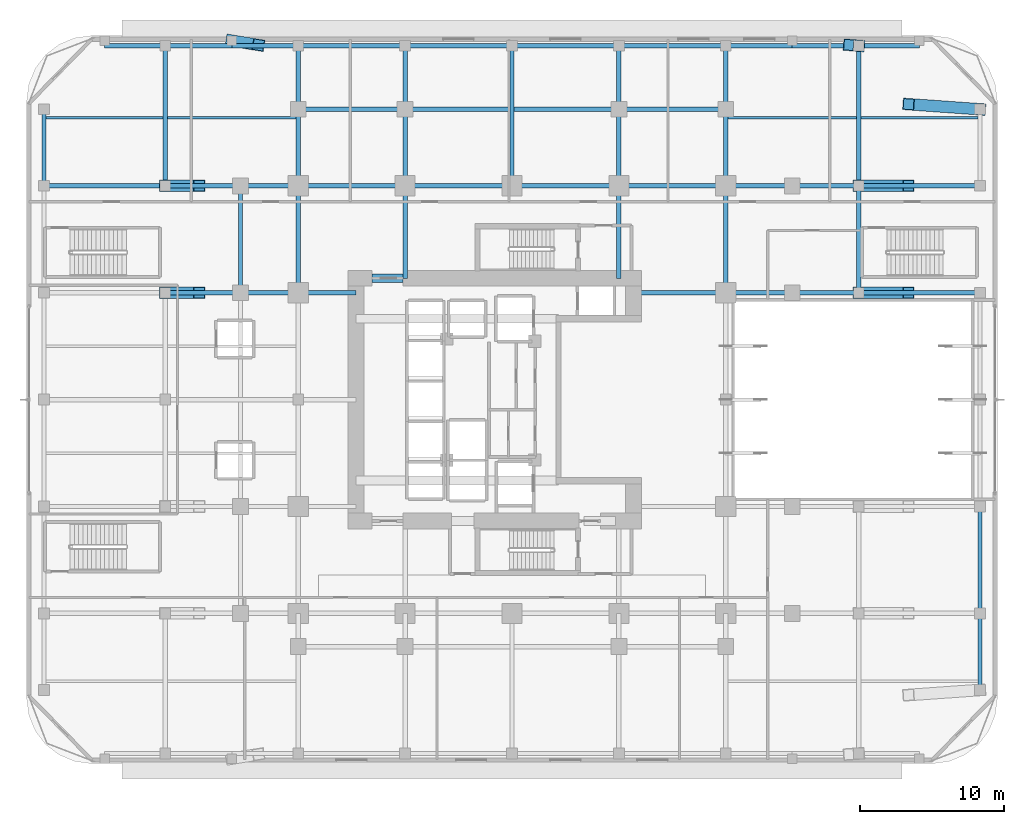
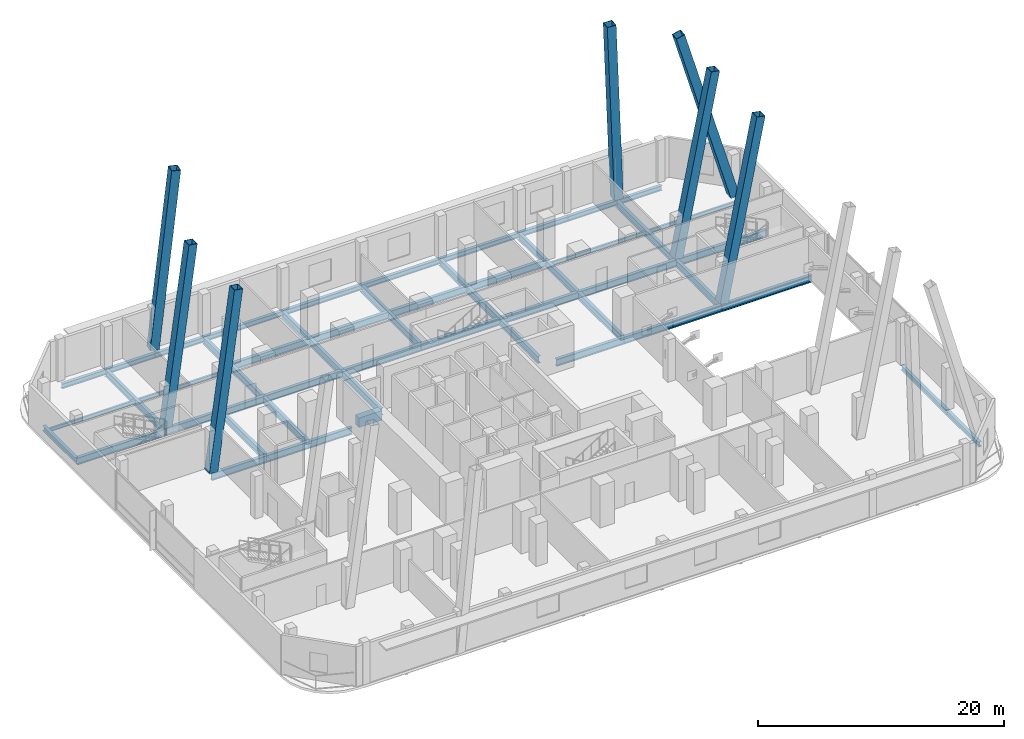
# One storey, part 7 of 23: 55 beams, 7 members.
"""IFC4 building model written with IfcOpenShell, lengths in metres."""

from ifc_helpers import new_model, si_unit, direction, frame, origin, origin_2d, place, context, subcontext, project, spatial, rectangle, hollow_rectangle, i_section, extrude, material, material_profile, profile_set, type_object, element, save


model = new_model("IFC4")

# Units and contexts
model_context = context("Model", 3, precision=1e-05, world=origin(), true_north=direction((0.0, 1.0)))
body_context = subcontext(model_context, "Body", "Model", "MODEL_VIEW")
ifc_project = project(units=[si_unit("LENGTHUNIT", "METRE"), si_unit("AREAUNIT", "SQUARE_METRE"), si_unit("VOLUMEUNIT", "CUBIC_METRE"), si_unit("PLANEANGLEUNIT", "RADIAN"), si_unit("MASSUNIT", "GRAM", prefix="KILO")], contexts=[model_context])

# Site, building, storey
site_placement = place(None, origin())
site = spatial("IfcSite", under=ifc_project, at=site_placement, CompositionType="ELEMENT")
building_placement = place(site_placement, origin())
building = spatial("IfcBuilding", under=site, at=building_placement, Name="Khorvyn Point Tower", CompositionType="ELEMENT")
storey_placement = place(building_placement, frame((0.0, 0.0, 9.0)))
storey = spatial("IfcBuildingStorey", under=building, at=storey_placement, Name="L03", CompositionType="ELEMENT", Elevation=9.0)

# Beams
ifc_material_1 = material(Name="Concrete C50/60", Category="concrete")
ifc_material_profile_1 = material_profile(ifc_material_1, rectangle(XDim=0.60009765625, YDim=0.949951171875, at=origin_2d()))
ifc_profile_set_1 = profile_set([ifc_material_profile_1], Name="Concrete C50/60 RC600x950")
beam_type_1 = type_object("IfcBeamType", Name="Concrete C50/60 Beam RC600x950", PredefinedType="BEAM", material=ifc_profile_set_1)
beam_1_placement = place(storey_placement, frame((-9.699951171875, 8.39990234375, -0.715087890625), z_axis=(1.0, 0.0, 0.0), x_axis=(0.0, 1.0, 0.0)))
element("IfcBeam", 1, at=beam_1_placement, inside=storey, type_object=beam_type_1, Name="L03 Core Northwest Portal Coupling Beam", PredefinedType="BEAM", context=body_context, shape_type="SweptSolid", body=[
    extrude(rectangle(XDim=0.60009765625, YDim=0.949951171875, at=origin_2d()), origin(), (0.0, 0.0, 1.0), 2.14990234375),
])
ifc_material_2 = material(Name="Steel S355", Category="steel")
ifc_material_profile_2 = material_profile(ifc_material_2, i_section(OverallWidth=0.300048828125, OverallDepth=0.699951171875, WebThickness=0.012939453125, FlangeThickness=0.02392578125, at=origin_2d()))
ifc_profile_set_2 = profile_set([ifc_material_profile_2], Name="Steel S355 H700x300x13x24")
beam_type_2 = type_object("IfcBeamType", Name="Steel S355 Beam H700x300x13x24", PredefinedType="BEAM", material=ifc_profile_set_2)
beam_2_placement = place(storey_placement, frame((-24.0, 7.39990234375, -0.590087890625), z_axis=(1.0, 0.0, 0.0), x_axis=(0.0, 1.0, 0.0)))
element("IfcBeam", 2, at=beam_2_placement, inside=storey, type_object=beam_type_2, Name="Beam", PredefinedType="BEAM", context=body_context, shape_type="SweptSolid", body=[
    extrude(i_section(OverallWidth=0.300048828125, OverallDepth=0.699951171875, WebThickness=0.012939453125, FlangeThickness=0.02392578125, at=origin_2d()), origin(), (0.0, 0.0, 1.0), 5.199951171875),
])
for number, where, z_axis, x_axis, name in (
    (3, (-18.800048828125, 7.39990234375, -0.590087890625), (1.0, 0.0, 0.0), (0.0, 1.0, 0.0), "Beam"),
    (4, (-14.800048828125, 7.39990234375, -0.590087890625), (1.0, 0.0, 0.0), (0.0, 1.0, 0.0), "Beam"),
):
    element("IfcBeam", number, at=place(storey_placement, frame(where, z_axis=z_axis, x_axis=x_axis)), inside=storey, type_object=beam_type_2, Name=name, PredefinedType="BEAM", context=body_context, shape_type="SweptSolid", body=[
        extrude(i_section(OverallWidth=0.300048828125, OverallDepth=0.699951171875, WebThickness=0.012939453125, FlangeThickness=0.02392578125, at=origin_2d()), origin(), (0.0, 0.0, 1.0), 4.0),
    ])
beam_3_placement = place(storey_placement, frame((8.39990234375, 7.39990234375, -0.590087890625), z_axis=(1.0, 0.0, 0.0), x_axis=(0.0, 1.0, 0.0)))
element("IfcBeam", 5, at=beam_3_placement, inside=storey, type_object=beam_type_2, Name="Beam", PredefinedType="BEAM", context=body_context, shape_type="SweptSolid", body=[
    extrude(i_section(OverallWidth=0.300048828125, OverallDepth=0.699951171875, WebThickness=0.012939453125, FlangeThickness=0.02392578125, at=origin_2d()), origin(), (0.0, 0.0, 1.0), 6.400146484375),
])
beam_4_placement = place(storey_placement, frame((14.800048828125, 7.39990234375, -0.590087890625), z_axis=(1.0, 0.0, 0.0), x_axis=(0.0, 1.0, 0.0)))
element("IfcBeam", 6, at=beam_4_placement, inside=storey, type_object=beam_type_2, Name="Beam", PredefinedType="BEAM", context=body_context, shape_type="SweptSolid", body=[
    extrude(i_section(OverallWidth=0.300048828125, OverallDepth=0.699951171875, WebThickness=0.012939453125, FlangeThickness=0.02392578125, at=origin_2d()), origin(), (0.0, 0.0, 1.0), 4.599853515625),
])
beam_5_placement = place(storey_placement, frame((19.39990234375, 7.39990234375, -0.590087890625), z_axis=(1.0, 0.0, 0.0), x_axis=(0.0, 1.0, 0.0)))
element("IfcBeam", 7, at=beam_5_placement, inside=storey, type_object=beam_type_2, Name="Beam", PredefinedType="BEAM", context=body_context, shape_type="SweptSolid", body=[
    extrude(i_section(OverallWidth=0.300048828125, OverallDepth=0.699951171875, WebThickness=0.012939453125, FlangeThickness=0.02392578125, at=origin_2d()), origin(), (0.0, 0.0, 1.0), 4.60009765625),
])
for number, where, z_axis, x_axis, name in (
    (8, (24.0, 7.39990234375, -0.590087890625), (1.0, 0.0, 0.0), (0.0, 1.0, 0.0), "Beam"),
    (9, (-32.39990234375, 14.800048828125, -0.590087890625), (1.0, 0.0, 0.0), (0.0, 1.0, 0.0), "Beam"),
):
    element("IfcBeam", number, at=place(storey_placement, frame(where, z_axis=z_axis, x_axis=x_axis)), inside=storey, type_object=beam_type_2, Name=name, PredefinedType="BEAM", context=body_context, shape_type="SweptSolid", body=[
        extrude(i_section(OverallWidth=0.300048828125, OverallDepth=0.699951171875, WebThickness=0.012939453125, FlangeThickness=0.02392578125, at=origin_2d()), origin(), (0.0, 0.0, 1.0), 8.39990234375),
    ])
beam_6_placement = place(storey_placement, frame((-24.0, 14.800048828125, -0.590087890625), z_axis=(1.0, 0.0, 0.0), x_axis=(0.0, 1.0, 0.0)))
element("IfcBeam", 10, at=beam_6_placement, inside=storey, type_object=beam_type_2, Name="Beam", PredefinedType="BEAM", context=body_context, shape_type="SweptSolid", body=[
    extrude(i_section(OverallWidth=0.300048828125, OverallDepth=0.699951171875, WebThickness=0.012939453125, FlangeThickness=0.02392578125, at=origin_2d()), origin(), (0.0, 0.0, 1.0), 5.199951171875),
])
beam_7_placement = place(storey_placement, frame((-18.800048828125, 14.800048828125, -0.590087890625), z_axis=(1.0, 0.0, 0.0), x_axis=(0.0, 1.0, 0.0)))
element("IfcBeam", 11, at=beam_7_placement, inside=storey, type_object=beam_type_2, Name="Beam", PredefinedType="BEAM", context=body_context, shape_type="SweptSolid", body=[
    extrude(i_section(OverallWidth=0.300048828125, OverallDepth=0.699951171875, WebThickness=0.012939453125, FlangeThickness=0.02392578125, at=origin_2d()), origin(), (0.0, 0.0, 1.0), 4.0),
])
beam_8_placement = place(storey_placement, frame((-14.800048828125, 14.800048828125, -0.590087890625), z_axis=(1.0, 0.0, 0.0), x_axis=(0.0, 1.0, 0.0)))
element("IfcBeam", 12, at=beam_8_placement, inside=storey, type_object=beam_type_2, Name="Beam", PredefinedType="BEAM", context=body_context, shape_type="SweptSolid", body=[
    extrude(i_section(OverallWidth=0.300048828125, OverallDepth=0.699951171875, WebThickness=0.012939453125, FlangeThickness=0.02392578125, at=origin_2d()), origin(), (0.0, 0.0, 1.0), 7.400146484375),
])
for number, where, z_axis, x_axis, name in (
    (13, (-7.39990234375, 14.800048828125, -0.590087890625), (1.0, 0.0, 0.0), (0.0, 1.0, 0.0), "Beam"),
    (14, (0.0, 14.800048828125, -0.590087890625), (1.0, 0.0, 0.0), (0.0, 1.0, 0.0), "Beam"),
):
    element("IfcBeam", number, at=place(storey_placement, frame(where, z_axis=z_axis, x_axis=x_axis)), inside=storey, type_object=beam_type_2, Name=name, PredefinedType="BEAM", context=body_context, shape_type="SweptSolid", body=[
        extrude(i_section(OverallWidth=0.300048828125, OverallDepth=0.699951171875, WebThickness=0.012939453125, FlangeThickness=0.02392578125, at=origin_2d()), origin(), (0.0, 0.0, 1.0), 7.39990234375),
    ])
beam_9_placement = place(storey_placement, frame((7.39990234375, 14.800048828125, -0.590087890625), z_axis=(1.0, 0.0, 0.0), x_axis=(0.0, 1.0, 0.0)))
element("IfcBeam", 15, at=beam_9_placement, inside=storey, type_object=beam_type_2, Name="Beam", PredefinedType="BEAM", context=body_context, shape_type="SweptSolid", body=[
    extrude(i_section(OverallWidth=0.300048828125, OverallDepth=0.699951171875, WebThickness=0.012939453125, FlangeThickness=0.02392578125, at=origin_2d()), origin(), (0.0, 0.0, 1.0), 7.400146484375),
])
beam_10_placement = place(storey_placement, frame((14.800048828125, 14.800048828125, -0.590087890625), z_axis=(1.0, 0.0, 0.0), x_axis=(0.0, 1.0, 0.0)))
element("IfcBeam", 16, at=beam_10_placement, inside=storey, type_object=beam_type_2, Name="Beam", PredefinedType="BEAM", context=body_context, shape_type="SweptSolid", body=[
    extrude(i_section(OverallWidth=0.300048828125, OverallDepth=0.699951171875, WebThickness=0.012939453125, FlangeThickness=0.02392578125, at=origin_2d()), origin(), (0.0, 0.0, 1.0), 4.599853515625),
])
beam_11_placement = place(storey_placement, frame((19.39990234375, 14.800048828125, -0.590087890625), z_axis=(1.0, 0.0, 0.0), x_axis=(0.0, 1.0, 0.0)))
element("IfcBeam", 17, at=beam_11_placement, inside=storey, type_object=beam_type_2, Name="Beam", PredefinedType="BEAM", context=body_context, shape_type="SweptSolid", body=[
    extrude(i_section(OverallWidth=0.300048828125, OverallDepth=0.699951171875, WebThickness=0.012939453125, FlangeThickness=0.02392578125, at=origin_2d()), origin(), (0.0, 0.0, 1.0), 4.60009765625),
])
beam_12_placement = place(storey_placement, frame((24.0, 14.800048828125, -0.590087890625), z_axis=(1.0, 0.0, 0.0), x_axis=(0.0, 1.0, 0.0)))
element("IfcBeam", 18, at=beam_12_placement, inside=storey, type_object=beam_type_2, Name="Beam", PredefinedType="BEAM", context=body_context, shape_type="SweptSolid", body=[
    extrude(i_section(OverallWidth=0.300048828125, OverallDepth=0.699951171875, WebThickness=0.012939453125, FlangeThickness=0.02392578125, at=origin_2d()), origin(), (0.0, 0.0, 1.0), 8.39990234375),
])
beam_13_placement = place(storey_placement, frame((-14.800048828125, 20.10009765625, -0.590087890625), z_axis=(1.0, 0.0, 0.0), x_axis=(0.0, 1.0, 0.0)))
element("IfcBeam", 19, at=beam_13_placement, inside=storey, type_object=beam_type_2, Name="Beam", PredefinedType="BEAM", context=body_context, shape_type="SweptSolid", body=[
    extrude(i_section(OverallWidth=0.300048828125, OverallDepth=0.699951171875, WebThickness=0.012939453125, FlangeThickness=0.02392578125, at=origin_2d()), origin(), (0.0, 0.0, 1.0), 7.400146484375),
])
beam_14_placement = place(storey_placement, frame((-7.39990234375, 20.10009765625, -0.590087890625), z_axis=(1.0, 0.0, 0.0), x_axis=(0.0, 1.0, 0.0)))
element("IfcBeam", 20, at=beam_14_placement, inside=storey, type_object=beam_type_2, Name="Beam", PredefinedType="BEAM", context=body_context, shape_type="SweptSolid", body=[
    extrude(i_section(OverallWidth=0.300048828125, OverallDepth=0.699951171875, WebThickness=0.012939453125, FlangeThickness=0.02392578125, at=origin_2d()), origin(), (0.0, 0.0, 1.0), 14.7998046875),
])
beam_15_placement = place(storey_placement, frame((7.39990234375, 20.10009765625, -0.590087890625), z_axis=(1.0, 0.0, 0.0), x_axis=(0.0, 1.0, 0.0)))
element("IfcBeam", 21, at=beam_15_placement, inside=storey, type_object=beam_type_2, Name="Beam", PredefinedType="BEAM", context=body_context, shape_type="SweptSolid", body=[
    extrude(i_section(OverallWidth=0.300048828125, OverallDepth=0.699951171875, WebThickness=0.012939453125, FlangeThickness=0.02392578125, at=origin_2d()), origin(), (0.0, 0.0, 1.0), 7.400146484375),
])
beam_16_placement = place(storey_placement, frame((-24.0, 14.800048828125, -0.590087890625), z_axis=(0.0, 1.0, 0.0), x_axis=(-1.0, 0.0, 0.0)))
element("IfcBeam", 22, at=beam_16_placement, inside=storey, type_object=beam_type_2, Name="Beam", PredefinedType="BEAM", context=body_context, shape_type="SweptSolid", body=[
    extrude(i_section(OverallWidth=0.300048828125, OverallDepth=0.699951171875, WebThickness=0.012939453125, FlangeThickness=0.02392578125, at=origin_2d()), origin(), (0.0, 0.0, 1.0), 9.699951171875),
])
beam_17_placement = place(storey_placement, frame((-14.800048828125, 7.39990234375, -0.590087890625), z_axis=(0.0, 1.0, 0.0), x_axis=(-1.0, 0.0, 0.0)))
element("IfcBeam", 23, at=beam_17_placement, inside=storey, type_object=beam_type_2, Name="Beam", PredefinedType="BEAM", context=body_context, shape_type="SweptSolid", body=[
    extrude(i_section(OverallWidth=0.300048828125, OverallDepth=0.699951171875, WebThickness=0.012939453125, FlangeThickness=0.02392578125, at=origin_2d()), origin(), (0.0, 0.0, 1.0), 7.400146484375),
])
beam_18_placement = place(storey_placement, frame((-14.800048828125, 14.800048828125, -0.590087890625), z_axis=(0.0, 1.0, 0.0), x_axis=(-1.0, 0.0, 0.0)))
element("IfcBeam", 24, at=beam_18_placement, inside=storey, type_object=beam_type_2, Name="Beam", PredefinedType="BEAM", context=body_context, shape_type="SweptSolid", body=[
    extrude(i_section(OverallWidth=0.300048828125, OverallDepth=0.699951171875, WebThickness=0.012939453125, FlangeThickness=0.02392578125, at=origin_2d()), origin(), (0.0, 0.0, 1.0), 5.300048828125),
])
beam_19_placement = place(storey_placement, frame((-14.800048828125, 20.10009765625, -0.590087890625), z_axis=(0.0, 1.0, 0.0), x_axis=(-1.0, 0.0, 0.0)))
element("IfcBeam", 25, at=beam_19_placement, inside=storey, type_object=beam_type_2, Name="Beam", PredefinedType="BEAM", context=body_context, shape_type="SweptSolid", body=[
    extrude(i_section(OverallWidth=0.300048828125, OverallDepth=0.699951171875, WebThickness=0.012939453125, FlangeThickness=0.02392578125, at=origin_2d()), origin(), (0.0, 0.0, 1.0), 4.39990234375),
])
beam_20_placement = place(storey_placement, frame((-7.39990234375, 8.39990234375, -0.590087890625), z_axis=(0.0, 1.0, 0.0), x_axis=(-1.0, 0.0, 0.0)))
element("IfcBeam", 26, at=beam_20_placement, inside=storey, type_object=beam_type_2, Name="Beam", PredefinedType="BEAM", context=body_context, shape_type="SweptSolid", body=[
    extrude(i_section(OverallWidth=0.300048828125, OverallDepth=0.699951171875, WebThickness=0.012939453125, FlangeThickness=0.02392578125, at=origin_2d()), origin(), (0.0, 0.0, 1.0), 6.400146484375),
])
beam_21_placement = place(storey_placement, frame((-7.39990234375, 14.800048828125, -0.590087890625), z_axis=(0.0, 1.0, 0.0), x_axis=(-1.0, 0.0, 0.0)))
element("IfcBeam", 27, at=beam_21_placement, inside=storey, type_object=beam_type_2, Name="Beam", PredefinedType="BEAM", context=body_context, shape_type="SweptSolid", body=[
    extrude(i_section(OverallWidth=0.300048828125, OverallDepth=0.699951171875, WebThickness=0.012939453125, FlangeThickness=0.02392578125, at=origin_2d()), origin(), (0.0, 0.0, 1.0), 5.300048828125),
])
beam_22_placement = place(storey_placement, frame((-7.39990234375, 20.10009765625, -0.590087890625), z_axis=(0.0, 1.0, 0.0), x_axis=(-1.0, 0.0, 0.0)))
element("IfcBeam", 28, at=beam_22_placement, inside=storey, type_object=beam_type_2, Name="Beam", PredefinedType="BEAM", context=body_context, shape_type="SweptSolid", body=[
    extrude(i_section(OverallWidth=0.300048828125, OverallDepth=0.699951171875, WebThickness=0.012939453125, FlangeThickness=0.02392578125, at=origin_2d()), origin(), (0.0, 0.0, 1.0), 4.39990234375),
])
beam_23_placement = place(storey_placement, frame((0.0, 14.800048828125, -0.590087890625), z_axis=(0.0, 1.0, 0.0), x_axis=(-1.0, 0.0, 0.0)))
element("IfcBeam", 29, at=beam_23_placement, inside=storey, type_object=beam_type_2, Name="Beam", PredefinedType="BEAM", context=body_context, shape_type="SweptSolid", body=[
    extrude(i_section(OverallWidth=0.300048828125, OverallDepth=0.699951171875, WebThickness=0.012939453125, FlangeThickness=0.02392578125, at=origin_2d()), origin(), (0.0, 0.0, 1.0), 9.699951171875),
])
beam_24_placement = place(storey_placement, frame((7.39990234375, 8.39990234375, -0.590087890625), z_axis=(0.0, 1.0, 0.0), x_axis=(-1.0, 0.0, 0.0)))
element("IfcBeam", 30, at=beam_24_placement, inside=storey, type_object=beam_type_2, Name="Beam", PredefinedType="BEAM", context=body_context, shape_type="SweptSolid", body=[
    extrude(i_section(OverallWidth=0.300048828125, OverallDepth=0.699951171875, WebThickness=0.012939453125, FlangeThickness=0.02392578125, at=origin_2d()), origin(), (0.0, 0.0, 1.0), 6.400146484375),
])
beam_25_placement = place(storey_placement, frame((7.39990234375, 14.800048828125, -0.590087890625), z_axis=(0.0, 1.0, 0.0), x_axis=(-1.0, 0.0, 0.0)))
element("IfcBeam", 31, at=beam_25_placement, inside=storey, type_object=beam_type_2, Name="Beam", PredefinedType="BEAM", context=body_context, shape_type="SweptSolid", body=[
    extrude(i_section(OverallWidth=0.300048828125, OverallDepth=0.699951171875, WebThickness=0.012939453125, FlangeThickness=0.02392578125, at=origin_2d()), origin(), (0.0, 0.0, 1.0), 5.300048828125),
])
beam_26_placement = place(storey_placement, frame((7.39990234375, 20.10009765625, -0.590087890625), z_axis=(0.0, 1.0, 0.0), x_axis=(-1.0, 0.0, 0.0)))
element("IfcBeam", 32, at=beam_26_placement, inside=storey, type_object=beam_type_2, Name="Beam", PredefinedType="BEAM", context=body_context, shape_type="SweptSolid", body=[
    extrude(i_section(OverallWidth=0.300048828125, OverallDepth=0.699951171875, WebThickness=0.012939453125, FlangeThickness=0.02392578125, at=origin_2d()), origin(), (0.0, 0.0, 1.0), 4.39990234375),
])
beam_27_placement = place(storey_placement, frame((14.800048828125, 7.39990234375, -0.590087890625), z_axis=(0.0, 1.0, 0.0), x_axis=(-1.0, 0.0, 0.0)))
element("IfcBeam", 33, at=beam_27_placement, inside=storey, type_object=beam_type_2, Name="Beam", PredefinedType="BEAM", context=body_context, shape_type="SweptSolid", body=[
    extrude(i_section(OverallWidth=0.300048828125, OverallDepth=0.699951171875, WebThickness=0.012939453125, FlangeThickness=0.02392578125, at=origin_2d()), origin(), (0.0, 0.0, 1.0), 7.400146484375),
])
beam_28_placement = place(storey_placement, frame((14.800048828125, 14.800048828125, -0.590087890625), z_axis=(0.0, 1.0, 0.0), x_axis=(-1.0, 0.0, 0.0)))
element("IfcBeam", 34, at=beam_28_placement, inside=storey, type_object=beam_type_2, Name="Beam", PredefinedType="BEAM", context=body_context, shape_type="SweptSolid", body=[
    extrude(i_section(OverallWidth=0.300048828125, OverallDepth=0.699951171875, WebThickness=0.012939453125, FlangeThickness=0.02392578125, at=origin_2d()), origin(), (0.0, 0.0, 1.0), 5.300048828125),
])
beam_29_placement = place(storey_placement, frame((14.800048828125, 20.10009765625, -0.590087890625), z_axis=(0.0, 1.0, 0.0), x_axis=(-1.0, 0.0, 0.0)))
element("IfcBeam", 35, at=beam_29_placement, inside=storey, type_object=beam_type_2, Name="Beam", PredefinedType="BEAM", context=body_context, shape_type="SweptSolid", body=[
    extrude(i_section(OverallWidth=0.300048828125, OverallDepth=0.699951171875, WebThickness=0.012939453125, FlangeThickness=0.02392578125, at=origin_2d()), origin(), (0.0, 0.0, 1.0), 4.39990234375),
])
beam_30_placement = place(storey_placement, frame((24.0, 7.39990234375, -0.590087890625), z_axis=(0.0, 1.0, 0.0), x_axis=(-1.0, 0.0, 0.0)))
element("IfcBeam", 36, at=beam_30_placement, inside=storey, type_object=beam_type_2, Name="Beam", PredefinedType="BEAM", context=body_context, shape_type="SweptSolid", body=[
    extrude(i_section(OverallWidth=0.300048828125, OverallDepth=0.699951171875, WebThickness=0.012939453125, FlangeThickness=0.02392578125, at=origin_2d()), origin(), (0.0, 0.0, 1.0), 7.400146484375),
])
beam_31_placement = place(storey_placement, frame((24.0, 14.800048828125, -0.590087890625), z_axis=(0.0, 1.0, 0.0), x_axis=(-1.0, 0.0, 0.0)))
element("IfcBeam", 37, at=beam_31_placement, inside=storey, type_object=beam_type_2, Name="Beam", PredefinedType="BEAM", context=body_context, shape_type="SweptSolid", body=[
    extrude(i_section(OverallWidth=0.300048828125, OverallDepth=0.699951171875, WebThickness=0.012939453125, FlangeThickness=0.02392578125, at=origin_2d()), origin(), (0.0, 0.0, 1.0), 9.699951171875),
])
beam_32_placement = place(storey_placement, frame((-18.800048828125, 7.39990234375, -0.590087890625), z_axis=(0.0, 1.0, 0.0), x_axis=(-1.0, 0.0, 0.0)))
element("IfcBeam", 38, at=beam_32_placement, inside=storey, type_object=beam_type_2, Name="Beam", PredefinedType="BEAM", context=body_context, shape_type="SweptSolid", body=[
    extrude(i_section(OverallWidth=0.300048828125, OverallDepth=0.699951171875, WebThickness=0.012939453125, FlangeThickness=0.02392578125, at=origin_2d()), origin(), (0.0, 0.0, 1.0), 7.400146484375),
])
ifc_material_profile_3 = material_profile(ifc_material_2, i_section(OverallWidth=0.175048828125, OverallDepth=0.35009765625, WebThickness=0.007080078125, FlangeThickness=0.010986328125, at=origin_2d()))
ifc_profile_set_3 = profile_set([ifc_material_profile_3], Name="Steel S355 H350x175x7x11")
beam_type_3 = type_object("IfcBeamType", Name="Steel S355 Joist H350x175x7x11", PredefinedType="JOIST", material=ifc_profile_set_3)
beam_33_placement = place(storey_placement, frame((-32.25, 19.5, -0.4150390625), z_axis=(1.0, 0.0, 0.0), x_axis=(0.0, 1.0, 0.0)))
element("IfcBeam", 39, at=beam_33_placement, inside=storey, type_object=beam_type_3, Name="Beam", PredefinedType="JOIST", context=body_context, shape_type="SweptSolid", body=[
    extrude(i_section(OverallWidth=0.175048828125, OverallDepth=0.35009765625, WebThickness=0.007080078125, FlangeThickness=0.010986328125, at=origin_2d()), origin(), (0.0, 0.0, 1.0), 8.10009765625),
])
for number, where, z_axis, x_axis, name in (
    (40, (-23.85009765625, 19.5, -0.4150390625), (1.0, 0.0, 0.0), (0.0, 1.0, 0.0), "Beam"),
    (41, (14.949951171875, 19.5, -0.4150390625), (1.0, 0.0, 0.0), (0.0, 1.0, 0.0), "Beam"),
):
    element("IfcBeam", number, at=place(storey_placement, frame(where, z_axis=z_axis, x_axis=x_axis)), inside=storey, type_object=beam_type_3, Name=name, PredefinedType="JOIST", context=body_context, shape_type="SweptSolid", body=[
        extrude(i_section(OverallWidth=0.175048828125, OverallDepth=0.35009765625, WebThickness=0.007080078125, FlangeThickness=0.010986328125, at=origin_2d()), origin(), (0.0, 0.0, 1.0), 8.900146484375),
    ])
beam_34_placement = place(storey_placement, frame((24.14990234375, 19.5, -0.4150390625), z_axis=(1.0, 0.0, 0.0), x_axis=(0.0, 1.0, 0.0)))
element("IfcBeam", 42, at=beam_34_placement, inside=storey, type_object=beam_type_3, Name="Beam", PredefinedType="JOIST", context=body_context, shape_type="SweptSolid", body=[
    extrude(i_section(OverallWidth=0.175048828125, OverallDepth=0.35009765625, WebThickness=0.007080078125, FlangeThickness=0.010986328125, at=origin_2d()), origin(), (0.0, 0.0, 1.0), 8.10009765625),
])
ifc_material_profile_4 = material_profile(ifc_material_2, i_section(OverallWidth=0.300048828125, OverallDepth=0.488037109375, WebThickness=0.010986328125, FlangeThickness=0.01806640625, at=origin_2d()))
ifc_profile_set_4 = profile_set([ifc_material_profile_4], Name="Steel S355 H488x300x11x18")
beam_type_4 = type_object("IfcBeamType", Name="Steel S355 Spandrel H488x300x11x18", PredefinedType="SPANDREL", material=ifc_profile_set_4)
beam_35_placement = place(storey_placement, frame((-28.199951171875, 24.5, -0.48388671875), z_axis=(1.0, 0.0, 0.0), x_axis=(0.0, 1.0, 0.0)))
element("IfcBeam", 43, at=beam_35_placement, inside=storey, type_object=beam_type_4, Name="Beam", PredefinedType="SPANDREL", context=body_context, shape_type="SweptSolid", body=[
    extrude(i_section(OverallWidth=0.300048828125, OverallDepth=0.488037109375, WebThickness=0.010986328125, FlangeThickness=0.01806640625, at=origin_2d()), origin(), (0.0, 0.0, 1.0), 4.199951171875),
])
beam_36_placement = place(storey_placement, frame((-24.0, 24.5, -0.48388671875), z_axis=(1.0, 0.0, 0.0), x_axis=(0.0, 1.0, 0.0)))
element("IfcBeam", 44, at=beam_36_placement, inside=storey, type_object=beam_type_4, Name="Beam", PredefinedType="SPANDREL", context=body_context, shape_type="SweptSolid", body=[
    extrude(i_section(OverallWidth=0.300048828125, OverallDepth=0.488037109375, WebThickness=0.010986328125, FlangeThickness=0.01806640625, at=origin_2d()), origin(), (0.0, 0.0, 1.0), 4.60009765625),
])
beam_37_placement = place(storey_placement, frame((-19.39990234375, 24.5, -0.48388671875), z_axis=(1.0, 0.0, 0.0), x_axis=(0.0, 1.0, 0.0)))
element("IfcBeam", 45, at=beam_37_placement, inside=storey, type_object=beam_type_4, Name="Beam", PredefinedType="SPANDREL", context=body_context, shape_type="SweptSolid", body=[
    extrude(i_section(OverallWidth=0.300048828125, OverallDepth=0.488037109375, WebThickness=0.010986328125, FlangeThickness=0.01806640625, at=origin_2d()), origin(), (0.0, 0.0, 1.0), 4.599853515625),
])
beam_38_placement = place(storey_placement, frame((-14.800048828125, 24.5, -0.48388671875), z_axis=(1.0, 0.0, 0.0), x_axis=(0.0, 1.0, 0.0)))
element("IfcBeam", 46, at=beam_38_placement, inside=storey, type_object=beam_type_4, Name="Beam", PredefinedType="SPANDREL", context=body_context, shape_type="SweptSolid", body=[
    extrude(i_section(OverallWidth=0.300048828125, OverallDepth=0.488037109375, WebThickness=0.010986328125, FlangeThickness=0.01806640625, at=origin_2d()), origin(), (0.0, 0.0, 1.0), 7.400146484375),
])
for number, where, z_axis, x_axis, name in (
    (47, (-7.39990234375, 24.5, -0.48388671875), (1.0, 0.0, 0.0), (0.0, 1.0, 0.0), "Beam"),
    (48, (0.0, 24.5, -0.48388671875), (1.0, 0.0, 0.0), (0.0, 1.0, 0.0), "Beam"),
):
    element("IfcBeam", number, at=place(storey_placement, frame(where, z_axis=z_axis, x_axis=x_axis)), inside=storey, type_object=beam_type_4, Name=name, PredefinedType="SPANDREL", context=body_context, shape_type="SweptSolid", body=[
        extrude(i_section(OverallWidth=0.300048828125, OverallDepth=0.488037109375, WebThickness=0.010986328125, FlangeThickness=0.01806640625, at=origin_2d()), origin(), (0.0, 0.0, 1.0), 7.39990234375),
    ])
beam_39_placement = place(storey_placement, frame((7.39990234375, 24.5, -0.48388671875), z_axis=(1.0, 0.0, 0.0), x_axis=(0.0, 1.0, 0.0)))
element("IfcBeam", 49, at=beam_39_placement, inside=storey, type_object=beam_type_4, Name="Beam", PredefinedType="SPANDREL", context=body_context, shape_type="SweptSolid", body=[
    extrude(i_section(OverallWidth=0.300048828125, OverallDepth=0.488037109375, WebThickness=0.010986328125, FlangeThickness=0.01806640625, at=origin_2d()), origin(), (0.0, 0.0, 1.0), 7.400146484375),
])
beam_40_placement = place(storey_placement, frame((14.800048828125, 24.5, -0.48388671875), z_axis=(1.0, 0.0, 0.0), x_axis=(0.0, 1.0, 0.0)))
element("IfcBeam", 50, at=beam_40_placement, inside=storey, type_object=beam_type_4, Name="Beam", PredefinedType="SPANDREL", context=body_context, shape_type="SweptSolid", body=[
    extrude(i_section(OverallWidth=0.300048828125, OverallDepth=0.488037109375, WebThickness=0.010986328125, FlangeThickness=0.01806640625, at=origin_2d()), origin(), (0.0, 0.0, 1.0), 4.599853515625),
])
beam_41_placement = place(storey_placement, frame((19.39990234375, 24.5, -0.48388671875), z_axis=(1.0, 0.0, 0.0), x_axis=(0.0, 1.0, 0.0)))
element("IfcBeam", 51, at=beam_41_placement, inside=storey, type_object=beam_type_4, Name="Beam", PredefinedType="SPANDREL", context=body_context, shape_type="SweptSolid", body=[
    extrude(i_section(OverallWidth=0.300048828125, OverallDepth=0.488037109375, WebThickness=0.010986328125, FlangeThickness=0.01806640625, at=origin_2d()), origin(), (0.0, 0.0, 1.0), 4.60009765625),
])
beam_42_placement = place(storey_placement, frame((24.0, 24.5, -0.48388671875), z_axis=(1.0, 0.0, 0.0), x_axis=(0.0, 1.0, 0.0)))
element("IfcBeam", 52, at=beam_42_placement, inside=storey, type_object=beam_type_4, Name="Beam", PredefinedType="SPANDREL", context=body_context, shape_type="SweptSolid", body=[
    extrude(i_section(OverallWidth=0.300048828125, OverallDepth=0.488037109375, WebThickness=0.010986328125, FlangeThickness=0.01806640625, at=origin_2d()), origin(), (0.0, 0.0, 1.0), 4.199951171875),
])
for number, where, z_axis, x_axis, name in (
    (53, (-32.39990234375, 14.800048828125, -0.48388671875), (0.0, 1.0, 0.0), (-1.0, 0.0, 0.0), "Beam"),
    (54, (32.39990234375, -20.10009765625, -0.48388671875), (0.0, 1.0, 0.0), (-1.0, 0.0, 0.0), "Beam"),
):
    element("IfcBeam", number, at=place(storey_placement, frame(where, z_axis=z_axis, x_axis=x_axis)), inside=storey, type_object=beam_type_4, Name=name, PredefinedType="SPANDREL", context=body_context, shape_type="SweptSolid", body=[
        extrude(i_section(OverallWidth=0.300048828125, OverallDepth=0.488037109375, WebThickness=0.010986328125, FlangeThickness=0.01806640625, at=origin_2d()), origin(), (0.0, 0.0, 1.0), 5.300048828125),
    ])
beam_43_placement = place(storey_placement, frame((32.39990234375, -14.800048828125, -0.48388671875), z_axis=(0.0, 1.0, 0.0), x_axis=(-1.0, 0.0, 0.0)))
element("IfcBeam", 55, at=beam_43_placement, inside=storey, type_object=beam_type_4, Name="Beam", PredefinedType="SPANDREL", context=body_context, shape_type="SweptSolid", body=[
    extrude(i_section(OverallWidth=0.300048828125, OverallDepth=0.488037109375, WebThickness=0.010986328125, FlangeThickness=0.01806640625, at=origin_2d()), origin(), (0.0, 0.0, 1.0), 7.400146484375),
])

# Members
ifc_material_3 = material(Name="Steel S450", Category="steel")
ifc_material_profile_5 = material_profile(ifc_material_3, hollow_rectangle(XDim=0.800048828125, YDim=0.800048828125, WallThickness=0.035888671875, at=origin_2d()))
ifc_profile_set_5 = profile_set([ifc_material_profile_5], Name="Steel S450 BOX800x800x36")
member_type = type_object("IfcMemberType", Name="Steel S450 Exoskeleton Structural Post BOX800x800x36", PredefinedType="POST", material=ifc_profile_set_5)
member_1_placement = place(storey_placement, frame((-19.39990234375, 24.85009765625, 0.0), z_axis=(0.105702707232, -0.017145126988, 0.99424995967), x_axis=(0.160108896679, 0.987099357311, 0.0)))
element("IfcMember", 56, at=member_1_placement, inside=storey, type_object=member_type, Name="L03 to L07 Exoskeleton Transfer Post 03", PredefinedType="POST", context=body_context, shape_type="SweptSolid", body=[
    extrude(hollow_rectangle(XDim=0.800048828125, YDim=0.800048828125, WallThickness=0.035888671875, at=origin_2d()), origin(), (0.0, 0.0, 1.0), 17.50048828125),
])
member_2_placement = place(storey_placement, frame((24.0, 24.5, 0.0), z_axis=(-0.037324738112, 0.002874369389, 0.999299055301), x_axis=(-0.076782424412, -0.997047872121, 0.0)))
element("IfcMember", 57, at=member_2_placement, inside=storey, type_object=member_type, Name="L03 to L07 Exoskeleton Transfer Post 04", PredefinedType="POST", context=body_context, shape_type="SweptSolid", body=[
    extrude(hollow_rectangle(XDim=0.800048828125, YDim=0.800048828125, WallThickness=0.035888671875, at=origin_2d()), origin(), (0.0, 0.0, 1.0), 17.412109375),
])
member_3_placement = place(storey_placement, frame((32.39990234375, 20.10009765625, 0.0), z_axis=(-0.273573589696, 0.019335682073, 0.961656707157), x_axis=(-0.070502300707, -0.997511616772, 0.0)))
element("IfcMember", 58, at=member_3_placement, inside=storey, type_object=member_type, Name="L03 to L07 Exoskeleton Transfer Post 08", PredefinedType="POST", context=body_context, shape_type="SweptSolid", body=[
    extrude(hollow_rectangle(XDim=0.800048828125, YDim=0.800048828125, WallThickness=0.035888671875, at=origin_2d()), origin(), (0.0, 0.0, 1.0), 18.09375),
])
member_4_placement = place(storey_placement, frame((-24.0, 7.39990234375, 0.0), z_axis=(0.13384851085, 0.0, 0.991001804309), x_axis=(0.0, 1.0, 0.0)))
element("IfcMember", 59, at=member_4_placement, inside=storey, type_object=member_type, Name="L03 to L07 Exoskeleton Transfer Post 13", PredefinedType="POST", context=body_context, shape_type="SweptSolid", body=[
    extrude(hollow_rectangle(XDim=0.800048828125, YDim=0.800048828125, WallThickness=0.035888671875, at=origin_2d()), origin(), (0.0, 0.0, 1.0), 17.557861328125),
])
member_5_placement = place(storey_placement, frame((24.0, 7.39990234375, 0.0), z_axis=(0.194488099174, 0.0, 0.980904877794), x_axis=(0.0, 1.0, 0.0)))
element("IfcMember", 60, at=member_5_placement, inside=storey, type_object=member_type, Name="L03 to L07 Exoskeleton Transfer Post 14", PredefinedType="POST", context=body_context, shape_type="SweptSolid", body=[
    extrude(hollow_rectangle(XDim=0.800048828125, YDim=0.800048828125, WallThickness=0.035888671875, at=origin_2d()), origin(), (0.0, 0.0, 1.0), 17.738525390625),
])
member_6_placement = place(storey_placement, frame((-24.0, 14.800048828125, 0.0), z_axis=(0.13384851085, 0.0, 0.991001804309), x_axis=(0.0, 1.0, 0.0)))
element("IfcMember", 61, at=member_6_placement, inside=storey, type_object=member_type, Name="L03 to L07 Exoskeleton Transfer Post 15", PredefinedType="POST", context=body_context, shape_type="SweptSolid", body=[
    extrude(hollow_rectangle(XDim=0.800048828125, YDim=0.800048828125, WallThickness=0.035888671875, at=origin_2d()), origin(), (0.0, 0.0, 1.0), 17.557861328125),
])
member_7_placement = place(storey_placement, frame((24.0, 14.800048828125, 0.0), z_axis=(0.194488099174, 0.0, 0.980904877794), x_axis=(0.0, 1.0, 0.0)))
element("IfcMember", 62, at=member_7_placement, inside=storey, type_object=member_type, Name="L03 to L07 Exoskeleton Transfer Post 16", PredefinedType="POST", context=body_context, shape_type="SweptSolid", body=[
    extrude(hollow_rectangle(XDim=0.800048828125, YDim=0.800048828125, WallThickness=0.035888671875, at=origin_2d()), origin(), (0.0, 0.0, 1.0), 17.738525390625),
])

save(model, "model.ifc")
